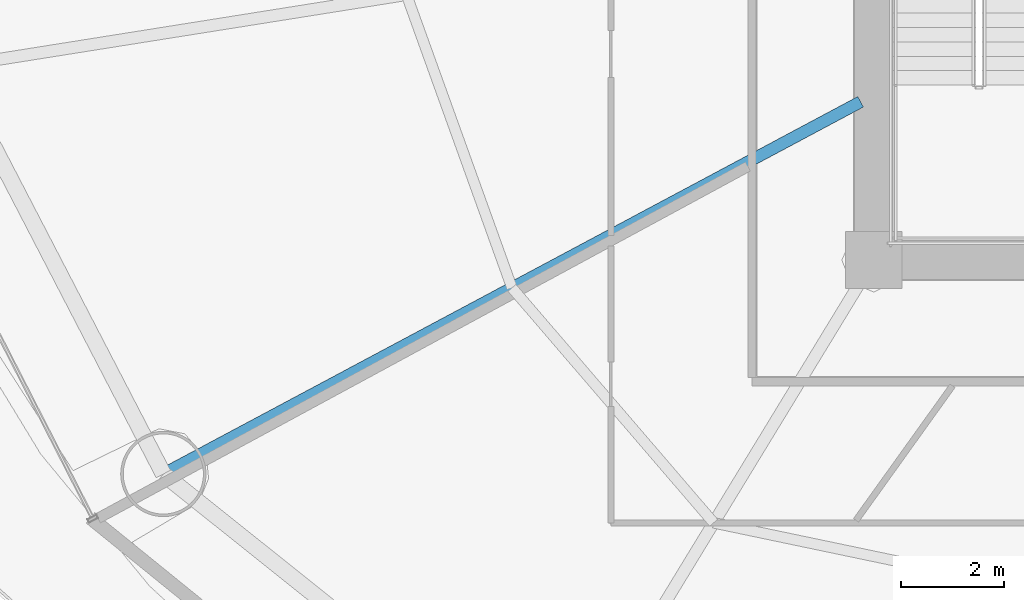
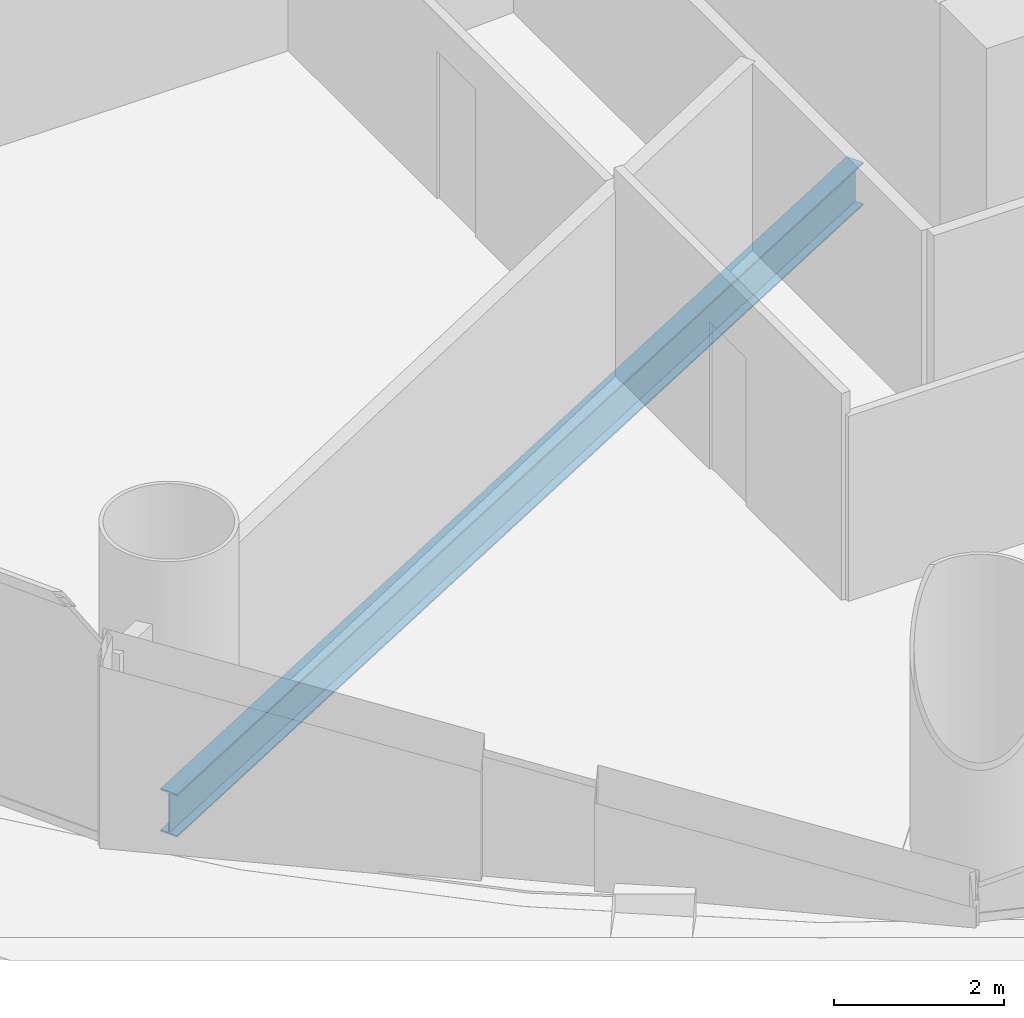
# One storey, part 4 of 30: 1 beam.
"""IFC4 building model written with IfcOpenShell, lengths in metres."""

from ifc_helpers import new_model, si_unit, direction, frame, origin, origin_2d, place, context, subcontext, project, spatial, i_section, extrude, material, material_profile, profile_set, type_object, element, save


model = new_model("IFC4")

# Units and contexts
model_context = context("Model", 3, precision=1e-05, world=origin(), true_north=direction((-0.2419218956, 0.970295726276)))
body_context = subcontext(model_context, "Body", "Model", "MODEL_VIEW")
ifc_project = project(units=[si_unit("LENGTHUNIT", "METRE"), si_unit("AREAUNIT", "SQUARE_METRE"), si_unit("VOLUMEUNIT", "CUBIC_METRE"), si_unit("PLANEANGLEUNIT", "RADIAN"), si_unit("MASSUNIT", "GRAM", prefix="KILO")], contexts=[model_context])

# Site, building, storey
site_placement = place(None, origin())
site = spatial("IfcSite", under=ifc_project, at=site_placement, CompositionType="ELEMENT")
building_placement = place(site_placement, origin())
building = spatial("IfcBuilding", under=site, at=building_placement, Name="Cobrevalo Terracotta Tower", CompositionType="ELEMENT")
storey_placement = place(building_placement, frame((0.0, 0.0, 60.0)))
storey = spatial("IfcBuildingStorey", under=building, at=storey_placement, Name="L15", CompositionType="ELEMENT", Elevation=60.0)

# Beam
ifc_material = material(Name="Steel S355", Category="steel")
ifc_material_profile = material_profile(ifc_material, i_section(OverallWidth=0.22998046875, OverallDepth=0.616943359375, WebThickness=0.01318359375, FlangeThickness=0.022216796875, at=origin_2d()), Name="W 610x140")
ifc_profile_set = profile_set([ifc_material_profile], Name="Steel S355")
beam_type = type_object("IfcBeamType", Name="Structural Beam W 610x140 (Steel S355)", PredefinedType="BEAM", material=ifc_profile_set)
beam_placement = place(storey_placement, frame((15.25927734375, 14.660888671875, -0.58837890625), z_axis=(0.88218223571, 0.470908168329, 0.0), x_axis=(-0.470908168329, 0.88218223571, 0.0)))
element("IfcBeam", 1, at=beam_placement, inside=storey, type_object=beam_type, Name="L15 radial floor girder 10", PredefinedType="BEAM", context=body_context, shape_type="SweptSolid", body=[
    extrude(i_section(OverallWidth=0.22998046875, OverallDepth=0.616943359375, WebThickness=0.01318359375, FlangeThickness=0.022216796875, at=origin_2d()), origin(), (0.0, 0.0, 1.0), 15.286865234375),
])

save(model, "model.ifc")
